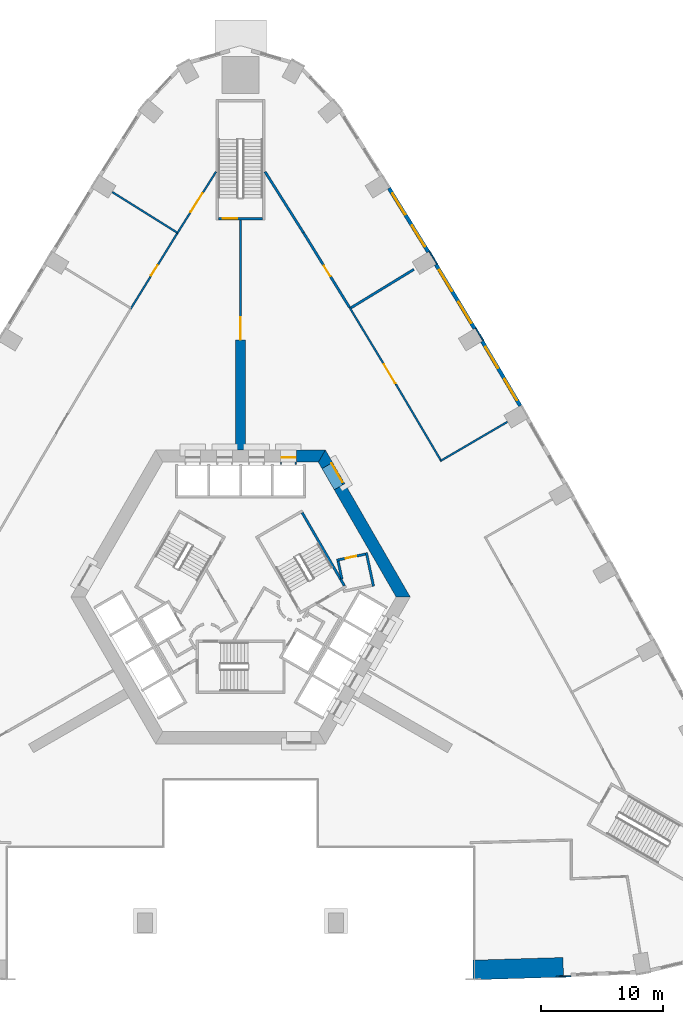
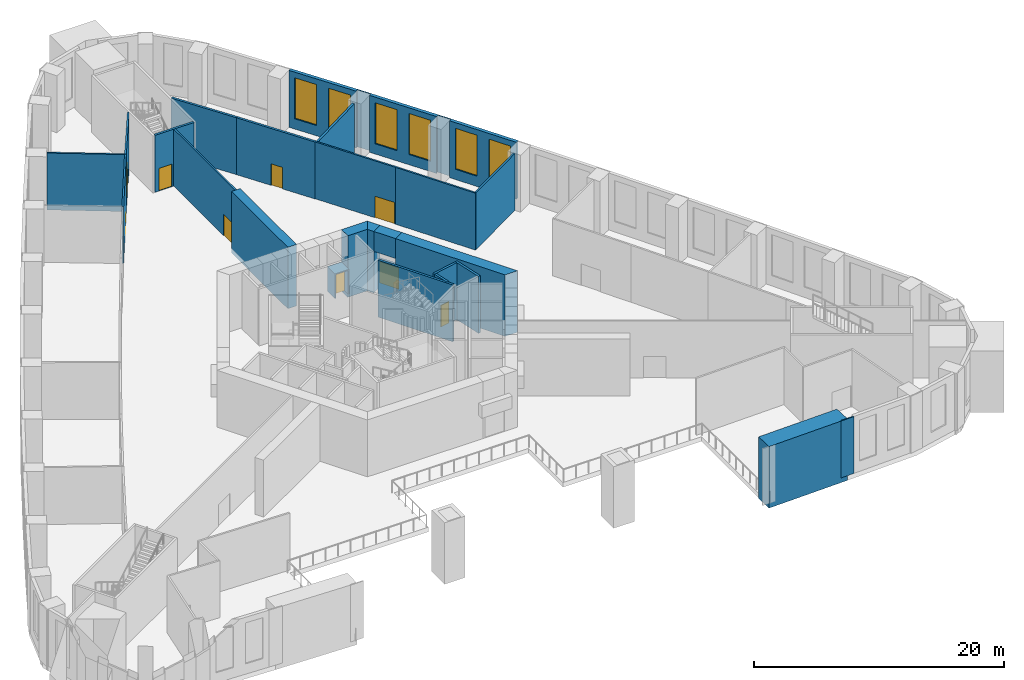
# One storey, part 6 of 15: 29 walls, 9 doors, 6 windows, 15 openings.
"""IFC4 building model written with IfcOpenShell, lengths in metres."""

from ifc_helpers import new_model, si_unit, direction, frame, frame_2d, origin, place, context, subcontext, project, spatial, polyline, rectangle, outline, extrude, material, layer, layer_set, type_object, element, fill, save


model = new_model("IFC4")

# Units and contexts
model_context = context("Model", 3, precision=1e-05, world=origin(), true_north=direction((0.0, 1.0)))
body_context = subcontext(model_context, "Body", "Model", "MODEL_VIEW")
ifc_project = project(units=[si_unit("LENGTHUNIT", "METRE"), si_unit("AREAUNIT", "SQUARE_METRE"), si_unit("VOLUMEUNIT", "CUBIC_METRE"), si_unit("PLANEANGLEUNIT", "RADIAN"), si_unit("MASSUNIT", "GRAM", prefix="KILO")], contexts=[model_context])

# Site, building, storey
site_placement = place(None, origin())
site = spatial("IfcSite", under=ifc_project, at=site_placement, CompositionType="ELEMENT")
building_placement = place(site_placement, origin())
building = spatial("IfcBuilding", under=site, at=building_placement, Name="Entoto Arch Interchange Tower", CompositionType="ELEMENT")
storey_placement = place(building_placement, frame((0.0, 0.0, 9.0)))
storey = spatial("IfcBuildingStorey", under=building, at=storey_placement, Name="L01", CompositionType="ELEMENT", Elevation=9.0)

# Walls
ifc_material_1 = material(Name="Concrete C60/75", Category="concrete")
ifc_layer_1 = layer(ifc_material_1, 1.60009765625)
ifc_layer_set_1 = layer_set([ifc_layer_1], Name="Concrete C60/75")
wall_type_1 = type_object("IfcWallType", Name="Arch leg wall 1600 C60/75", PredefinedType="SHEAR", material=ifc_layer_set_1)
wall_1_placement = place(storey_placement, frame((0.0, 0.0, -0.449951171875)))
element("IfcWall", 1, at=wall_1_placement, inside=storey, type_object=wall_type_1, Name="Arch leg E L01", PredefinedType="SHEAR", context=body_context, shape_type="SweptSolid", body=[
    extrude(outline(polyline([(19.0, -28.761962890625), (26.376953125, -28.5400390625), (26.321044921875, -26.94091796875), (18.97607421875, -27.162109375), (19.0, -28.761962890625)])), origin(), (0.0, 0.0, 1.0), 6.0),
])
ifc_layer_2 = layer(ifc_material_1, 0.800048828125)
ifc_layer_set_2 = layer_set([ifc_layer_2], Name="Concrete C60/75")
wall_type_2 = type_object("IfcWallType", Name="Buttress wall 800 C60/75", PredefinedType="SHEAR", material=ifc_layer_set_2)
wall_2_placement = place(storey_placement, frame((0.0, 14.5, -0.449951171875), z_axis=(0.0, 0.0, 1.0), x_axis=(0.0, 1.0, 0.0)))
element("IfcWall", 2, at=wall_2_placement, inside=storey, type_object=wall_type_2, Name="Buttress wall N L01", PredefinedType="SHEAR", context=body_context, shape_type="SweptSolid", body=[
    extrude(rectangle(XDim=9.0, YDim=0.800048828125, at=frame_2d((4.5, 0.0))), origin(), (0.0, 0.0, 1.0), 6.0),
])

# Wall, opening, door
ifc_material_2 = material(Name="Reinforced concrete C40/50", Category="concrete")
ifc_layer_3 = layer(ifc_material_2, 0.199951171875)
ifc_layer_set_3 = layer_set([ifc_layer_3], Name="Reinforced concrete C40/50")
wall_type_3 = type_object("IfcWallType", Name="CORE GAP INFILL WALL", PredefinedType="PARTITIONING", material=ifc_layer_set_3)
wall_3_placement = place(storey_placement, frame((8.429931640625, 11.697998046875, 0.0), z_axis=(0.0, 0.0, 1.0), x_axis=(-0.50002537861, 0.866010750942, 0.0)))
wall_3 = element("IfcWall", 3, at=wall_3_placement, inside=storey, type_object=wall_type_3, Name="wall:L01:gap2", PredefinedType="PARTITIONING", context=body_context, shape_type="SweptSolid", body=[
    extrude(rectangle(XDim=2.0, YDim=0.199951171875, at=frame_2d((1.0, 0.0))), origin(), (0.0, 0.0, 1.0), 2.39990234375),
])
opening_1_placement = place(wall_3_placement, frame((0.18994140625, 0.0, 0.0)))
opening_1 = element("IfcOpeningElement", 4, at=opening_1_placement, cuts=wall_3, Name="Opening L01-D92", PredefinedType="OPENING", context=body_context, shape_type="SweptSolid", body=[
    extrude(rectangle(XDim=1.800048828125, YDim=2.10009765625, at=frame_2d((0.89990234375, 1.050048828125))), frame((0.0, 0.10986328125, 0.0), z_axis=(0.0, -1.0, 0.0), x_axis=(1.0, 0.0, 0.0)), (0.0, 0.0, 1.0), 0.219970703125),
])
ifc_material_3 = material(Name="Fire-rated Steel S235 door and frame", Category="steel")
door_type_1 = type_object("IfcDoorType", Name="DOOR FD-18 1800x2100", OperationType="DOUBLE_DOOR_SINGLE_SWING", PredefinedType="DOOR", material=ifc_material_3)
door_1_placement = place(opening_1_placement, origin())
door_1 = element("IfcDoor", 5, at=door_1_placement, inside=storey, type_object=door_type_1, Name="door:L01:gap2", OperationType="DOUBLE_DOOR_SINGLE_SWING", OverallHeight=2.10009765625, OverallWidth=1.800048828125, PredefinedType="DOOR", context=body_context, shape_type="SweptSolid", body=[
    extrude(rectangle(XDim=1.800048828125, YDim=2.10009765625, at=frame_2d((0.89990234375, 1.050048828125))), frame((0.0, 0.02490234375, 0.0), z_axis=(0.0, -1.0, 0.0), x_axis=(1.0, 0.0, 0.0)), (0.0, 0.0, 1.0), 0.050048828125),
])
fill(opening_1, door_1)

# Walls
ifc_layer_4 = layer(ifc_material_1, 1.0)
ifc_layer_set_4 = layer_set([ifc_layer_4], Name="Concrete C60/75")
wall_type_4 = type_object("IfcWallType", Name="Core wall 1000 C60/75", PredefinedType="SHEAR", material=ifc_layer_set_4)
wall_4_placement = place(storey_placement, frame((0.0, 0.0, -0.449951171875)))
element("IfcWall", 6, at=wall_4_placement, inside=storey, type_object=wall_type_4, Name="Core wall NE L01", PredefinedType="SHEAR", context=body_context, shape_type="SweptSolid", body=[
    extrude(outline(polyline([(8.51708984375, 11.748046875), (7.65087890625, 11.248046875), (12.701904296875, 2.5), (13.85595703125, 2.5), (8.51708984375, 11.748046875)])), origin(), (0.0, 0.0, 1.0), 6.0),
])
wall_5_placement = place(storey_placement, frame((0.0, 0.0, -0.449951171875)))
element("IfcWall", 7, at=wall_5_placement, inside=storey, type_object=wall_type_4, Name="Core wall NE L01", PredefinedType="SHEAR", context=body_context, shape_type="SweptSolid", body=[
    extrude(outline(polyline([(6.65087890625, 12.97998046875), (7.51708984375, 13.47998046875), (6.927978515625, 14.5), (6.35107421875, 13.5), (6.65087890625, 12.97998046875)])), origin(), (0.0, 0.0, 1.0), 6.0),
])
wall_6_placement = place(storey_placement, frame((0.0, 0.0, 3.60009765625)))
element("IfcWall", 8, at=wall_6_placement, inside=storey, type_object=wall_type_4, Name="Core wall lintel NE L01", PredefinedType="SHEAR", context=body_context, shape_type="SweptSolid", body=[
    extrude(outline(polyline([(7.51708984375, 13.47998046875), (6.65087890625, 12.97998046875), (7.65087890625, 11.248046875), (8.51708984375, 11.748046875), (7.51708984375, 13.47998046875)])), origin(), (0.0, 0.0, 1.0), 1.949951171875),
])
wall_7_placement = place(storey_placement, frame((0.0, 0.0, -0.449951171875)))
element("IfcWall", 9, at=wall_7_placement, inside=storey, type_object=wall_type_4, Name="Core wall N L01", PredefinedType="SHEAR", context=body_context, shape_type="SweptSolid", body=[
    extrude(outline(polyline([(4.550048828125, 14.5), (4.550048828125, 13.5), (6.35107421875, 13.5), (6.927978515625, 14.5), (4.550048828125, 14.5)])), origin(), (0.0, 0.0, 1.0), 6.0),
])

# Wall, opening, door
ifc_material_4 = material(Name="Concrete C40/50", Category="concrete")
ifc_layer_5 = layer(ifc_material_4, 1.199951171875)
ifc_layer_set_5 = layer_set([ifc_layer_5], Name="Concrete C40/50")
wall_type_5 = type_object("IfcWallType", Name="LIFT LANDING INFILL WALL", PredefinedType="STANDARD", material=ifc_layer_set_5)
wall_8_placement = place(storey_placement, frame((4.550048828125, 13.89990234375, 0.0), z_axis=(0.0, 0.0, 1.0), x_axis=(-1.0, 0.0, 0.0)))
wall_8 = element("IfcWall", 10, at=wall_8_placement, inside=storey, type_object=wall_type_5, Name="Lift landing infill wall LR1 L01", PredefinedType="STANDARD", context=body_context, shape_type="SweptSolid", body=[
    extrude(rectangle(XDim=1.300048828125, YDim=1.199951171875, at=frame_2d((0.64990234375, 0.0))), origin(), (0.0, 0.0, 1.0), 2.39990234375),
])
opening_2_placement = place(wall_8_placement, frame((0.10009765625, 0.0, 0.0)))
opening_2 = element("IfcOpeningElement", 11, at=opening_2_placement, cuts=wall_8, Name="Opening LD-LR1-L01", PredefinedType="OPENING", context=body_context, shape_type="SweptSolid", body=[
    extrude(rectangle(XDim=1.10009765625, YDim=2.300048828125, at=frame_2d((0.550048828125, 1.14990234375))), frame((0.0, 0.60986328125, 0.0), z_axis=(0.0, -1.0, 0.0), x_axis=(1.0, 0.0, 0.0)), (0.0, 0.0, 1.0), 1.219970703125),
])
ifc_material_5 = material(Name="Stainless steel 1.4301 panels", Category="steel")
door_type_2 = type_object("IfcDoorType", Name="LIFT LANDING DOOR LD2 1100x2300", OperationType="SLIDING_TO_LEFT", PredefinedType="DOOR", material=ifc_material_5)
door_2_placement = place(opening_2_placement, origin())
door_2 = element("IfcDoor", 12, at=door_2_placement, inside=storey, type_object=door_type_2, Name="Lift landing door LR1 L01", OperationType="SLIDING_TO_LEFT", OverallHeight=2.300048828125, OverallWidth=1.10009765625, PredefinedType="DOOR", context=body_context, shape_type="SweptSolid", body=[
    extrude(rectangle(XDim=1.10009765625, YDim=2.300048828125, at=frame_2d((0.550048828125, 1.14990234375))), frame((0.0, 0.02490234375, 0.0), z_axis=(0.0, -1.0, 0.0), x_axis=(1.0, 0.0, 0.0)), (0.0, 0.0, 1.0), 0.050048828125),
])
fill(opening_2, door_2)

# Wall
ifc_material_6 = material(Name="Gypsum board partition on steel studs", Category="steel")
ifc_layer_6 = layer(ifc_material_6, 0.14990234375)
ifc_layer_set_6 = layer_set([ifc_layer_6], Name="Gypsum board partition on steel studs")
wall_type_6 = type_object("IfcWallType", Name="PARTITION 150", PredefinedType="PARTITIONING", material=ifc_layer_set_6)
wall_9_placement = place(storey_placement, frame((16.406005859375, 13.56591796875, 0.0), z_axis=(0.0, 0.0, 1.0), x_axis=(-0.508297783334, 0.861181376632, 0.0)))
element("IfcWall", 13, at=wall_9_placement, inside=storey, type_object=wall_type_6, Name="wall:L01:p048", PredefinedType="PARTITIONING", context=body_context, shape_type="SweptSolid", body=[
    extrude(rectangle(XDim=7.3203125, YDim=0.14990234375, at=frame_2d((3.66015625, 0.0))), origin(), (0.0, 0.0, 1.0), 5.550048828125),
])

# Wall, opening, door
wall_10_placement = place(storey_placement, frame((12.68505859375, 19.8701171875, 0.0), z_axis=(0.0, 0.0, 1.0), x_axis=(-0.516657396372, 0.856192230036, 0.0)))
wall_10 = element("IfcWall", 14, at=wall_10_placement, inside=storey, type_object=wall_type_6, Name="wall:L01:p049", PredefinedType="PARTITIONING", context=body_context, shape_type="SweptSolid", body=[
    extrude(rectangle(XDim=7.335693359375, YDim=0.14990234375, at=frame_2d((3.66796875, 0.0))), origin(), (0.0, 0.0, 1.0), 5.550048828125),
])
opening_3_placement = place(wall_10_placement, frame((0.10009765625, 0.0, 0.0)))
opening_3 = element("IfcOpeningElement", 15, at=opening_3_placement, cuts=wall_10, Name="Opening L01-D08", PredefinedType="OPENING", context=body_context, shape_type="SweptSolid", body=[
    extrude(rectangle(XDim=1.800048828125, YDim=2.10009765625, at=frame_2d((0.89990234375, 1.050048828125))), frame((0.0, 0.0849609375, 0.0), z_axis=(0.0, -1.0, 0.0), x_axis=(1.0, 0.0, 0.0)), (0.0, 0.0, 1.0), 0.169921875),
])
ifc_material_7 = material(Name="Timber door leaf in Steel S235 frame", Category="steel")
door_type_3 = type_object("IfcDoorType", Name="DOOR DD-18 1800x2100", OperationType="DOUBLE_DOOR_SINGLE_SWING", PredefinedType="DOOR", material=ifc_material_7)
door_3_placement = place(opening_3_placement, origin())
door_3 = element("IfcDoor", 16, at=door_3_placement, inside=storey, type_object=door_type_3, Name="door:L01:08", OperationType="DOUBLE_DOOR_SINGLE_SWING", OverallHeight=2.10009765625, OverallWidth=1.800048828125, PredefinedType="DOOR", context=body_context, shape_type="SweptSolid", body=[
    extrude(rectangle(XDim=1.800048828125, YDim=2.10009765625, at=frame_2d((0.89990234375, 1.050048828125))), frame((0.0, 0.02490234375, 0.0), z_axis=(0.0, -1.0, 0.0), x_axis=(1.0, 0.0, 0.0)), (0.0, 0.0, 1.0), 0.050048828125),
])
fill(opening_3, door_3)

# Walls
wall_11_placement = place(storey_placement, frame((21.7919921875, 16.798095703125, 0.0), z_axis=(0.0, 0.0, 1.0), x_axis=(-0.863450223864, -0.504434050109, 0.0)))
element("IfcWall", 17, at=wall_11_placement, inside=storey, type_object=wall_type_6, Name="wall:L01:p050", PredefinedType="PARTITIONING", context=body_context, shape_type="SweptSolid", body=[
    extrude(rectangle(XDim=6.28076171875, YDim=0.14990234375, at=frame_2d((3.140380859375, 0.0))), origin(), (0.0, 0.0, 1.0), 5.550048828125),
])
wall_12_placement = place(storey_placement, frame((-5.14599609375, 32.22900390625, 0.0), z_axis=(0.0, 0.0, 1.0), x_axis=(-0.847900028258, 0.530156148771, 0.0)))
element("IfcWall", 18, at=wall_12_placement, inside=storey, type_object=wall_type_6, Name="wall:L01:p053", PredefinedType="PARTITIONING", context=body_context, shape_type="SweptSolid", body=[
    extrude(rectangle(XDim=6.28125, YDim=0.14990234375, at=frame_2d((3.140625, 0.0))), origin(), (0.0, 0.0, 1.0), 5.550048828125),
])

# Wall, opening, door
wall_13_placement = place(storey_placement, frame((-2.0, 37.220947265625, 0.0), z_axis=(0.0, 0.0, 1.0), x_axis=(-0.533266105174, -0.8459475522, 0.0)))
wall_13 = element("IfcWall", 19, at=wall_13_placement, inside=storey, type_object=wall_type_6, Name="wall:L01:p054", PredefinedType="PARTITIONING", context=body_context, shape_type="SweptSolid", body=[
    extrude(rectangle(XDim=5.890380859375, YDim=0.14990234375, at=frame_2d((2.9453125, 0.0))), origin(), (0.0, 0.0, 1.0), 5.550048828125),
])
opening_4_placement = place(wall_13_placement, frame((2.080078125, 0.0, 0.0)))
opening_4 = element("IfcOpeningElement", 20, at=opening_4_placement, cuts=wall_13, Name="Opening L01-D10", PredefinedType="OPENING", context=body_context, shape_type="SweptSolid", body=[
    extrude(rectangle(XDim=1.800048828125, YDim=2.10009765625, at=frame_2d((0.89990234375, 1.050048828125))), frame((0.0, 0.0849609375, 0.0), z_axis=(0.0, -1.0, 0.0), x_axis=(1.0, 0.0, 0.0)), (0.0, 0.0, 1.0), 0.169921875),
])
door_4_placement = place(opening_4_placement, origin())
door_4 = element("IfcDoor", 21, at=door_4_placement, inside=storey, type_object=door_type_3, Name="door:L01:10", OperationType="DOUBLE_DOOR_SINGLE_SWING", OverallHeight=2.10009765625, OverallWidth=1.800048828125, PredefinedType="DOOR", context=body_context, shape_type="SweptSolid", body=[
    extrude(rectangle(XDim=1.800048828125, YDim=2.10009765625, at=frame_2d((0.89990234375, 1.050048828125))), frame((0.0, 0.02490234375, 0.0), z_axis=(0.0, -1.0, 0.0), x_axis=(1.0, 0.0, 0.0)), (0.0, 0.0, 1.0), 0.050048828125),
])
fill(opening_4, door_4)

wall_14_placement = place(storey_placement, frame((-5.14111328125, 32.238037109375, 0.0), z_axis=(0.0, 0.0, 1.0), x_axis=(-0.52478961199, -0.851231967884, 0.0)))
wall_14 = element("IfcWall", 22, at=wall_14_placement, inside=storey, type_object=wall_type_6, Name="wall:L01:p056", PredefinedType="PARTITIONING", context=body_context, shape_type="SweptSolid", body=[
    extrude(rectangle(XDim=7.31884765625, YDim=0.14990234375, at=frame_2d((3.659423828125, 0.0))), origin(), (0.0, 0.0, 1.0), 5.550048828125),
])
opening_5_placement = place(wall_14_placement, frame((3.110107421875, 0.0, 0.0)))
opening_5 = element("IfcOpeningElement", 23, at=opening_5_placement, cuts=wall_14, Name="Opening L01-D11", PredefinedType="OPENING", context=body_context, shape_type="SweptSolid", body=[
    extrude(rectangle(XDim=1.0, YDim=2.10009765625, at=frame_2d((0.5, 1.050048828125))), frame((0.0, 0.0849609375, 0.0), z_axis=(0.0, -1.0, 0.0), x_axis=(1.0, 0.0, 0.0)), (0.0, 0.0, 1.0), 0.169921875),
])
door_type_4 = type_object("IfcDoorType", Name="DOOR DS-10 1000x2100", OperationType="SINGLE_SWING_LEFT", PredefinedType="DOOR", material=ifc_material_7)
door_5_placement = place(opening_5_placement, origin())
door_5 = element("IfcDoor", 24, at=door_5_placement, inside=storey, type_object=door_type_4, Name="door:L01:11", OperationType="SINGLE_SWING_RIGHT", OverallHeight=2.10009765625, OverallWidth=1.0, PredefinedType="DOOR", context=body_context, shape_type="SweptSolid", body=[
    extrude(rectangle(XDim=1.0, YDim=2.10009765625, at=frame_2d((0.5, 1.050048828125))), frame((0.0, 0.02490234375, 0.0), z_axis=(0.0, -1.0, 0.0), x_axis=(1.0, 0.0, 0.0)), (0.0, 0.0, 1.0), 0.050048828125),
])
fill(opening_5, door_5)

wall_15_placement = place(storey_placement, frame((0.0, 33.300048828125, 0.0), z_axis=(0.0, 0.0, 1.0), x_axis=(0.0, -1.0, 0.0)))
wall_15 = element("IfcWall", 25, at=wall_15_placement, inside=storey, type_object=wall_type_6, Name="wall:L01:p068", PredefinedType="PARTITIONING", context=body_context, shape_type="SweptSolid", body=[
    extrude(rectangle(XDim=9.800048828125, YDim=0.14990234375, at=frame_2d((4.89990234375, 0.0))), origin(), (0.0, 0.0, 1.0), 5.550048828125),
])
opening_6_placement = place(wall_15_placement, frame((7.97998046875, 0.0, 0.0)))
opening_6 = element("IfcOpeningElement", 26, at=opening_6_placement, cuts=wall_15, Name="Opening L01-D02", PredefinedType="OPENING", context=body_context, shape_type="SweptSolid", body=[
    extrude(rectangle(XDim=1.800048828125, YDim=2.10009765625, at=frame_2d((0.89990234375, 1.050048828125))), frame((0.0, 0.0849609375, 0.0), z_axis=(0.0, -1.0, 0.0), x_axis=(1.0, 0.0, 0.0)), (0.0, 0.0, 1.0), 0.169921875),
])
door_6_placement = place(opening_6_placement, origin())
door_6 = element("IfcDoor", 27, at=door_6_placement, inside=storey, type_object=door_type_1, Name="door:L01:02", OperationType="DOUBLE_DOOR_SINGLE_SWING", OverallHeight=2.10009765625, OverallWidth=1.800048828125, PredefinedType="DOOR", context=body_context, shape_type="SweptSolid", body=[
    extrude(rectangle(XDim=1.800048828125, YDim=2.10009765625, at=frame_2d((0.89990234375, 1.050048828125))), frame((0.0, 0.02490234375, 0.0), z_axis=(0.0, -1.0, 0.0), x_axis=(1.0, 0.0, 0.0)), (0.0, 0.0, 1.0), 0.050048828125),
])
fill(opening_6, door_6)

# Wall
ifc_layer_7 = layer(ifc_material_6, 0.199951171875)
ifc_layer_set_7 = layer_set([ifc_layer_7], Name="Gypsum board partition on steel studs")
wall_type_7 = type_object("IfcWallType", Name="PARTITION 200", PredefinedType="PARTITIONING", material=ifc_layer_set_7)
wall_16_placement = place(storey_placement, frame((10.85498046875, 3.3759765625, 0.0), z_axis=(0.0, 0.0, 1.0), x_axis=(-0.207855627539, 0.978159515672, 0.0)))
element("IfcWall", 28, at=wall_16_placement, inside=storey, type_object=wall_type_7, Name="wall:L01:p013", PredefinedType="PARTITIONING", context=body_context, shape_type="SweptSolid", body=[
    extrude(rectangle(XDim=2.800048828125, YDim=0.199951171875, at=frame_2d((1.39990234375, 0.0))), origin(), (0.0, 0.0, 1.0), 5.550048828125),
])

# Wall, opening, door
wall_17_placement = place(storey_placement, frame((10.196044921875, 5.99609375, 0.0), z_axis=(0.0, 0.0, 1.0), x_axis=(-0.978155232185, -0.207875784424, 0.0)))
wall_17 = element("IfcWall", 29, at=wall_17_placement, inside=storey, type_object=wall_type_7, Name="wall:L01:p014", PredefinedType="PARTITIONING", context=body_context, shape_type="SweptSolid", body=[
    extrude(rectangle(XDim=2.400634765625, YDim=0.199951171875, at=frame_2d((1.2001953125, 0.0))), origin(), (0.0, 0.0, 1.0), 5.550048828125),
])
opening_7_placement = place(wall_17_placement, frame((0.75, 0.0, 0.0)))
opening_7 = element("IfcOpeningElement", 30, at=opening_7_placement, cuts=wall_17, Name="Opening L01-D19", PredefinedType="OPENING", context=body_context, shape_type="SweptSolid", body=[
    extrude(rectangle(XDim=0.89990234375, YDim=2.10009765625, at=frame_2d((0.449951171875, 1.050048828125))), frame((0.0, 0.10986328125, 0.0), z_axis=(0.0, -1.0, 0.0), x_axis=(1.0, 0.0, 0.0)), (0.0, 0.0, 1.0), 0.219970703125),
])
door_type_5 = type_object("IfcDoorType", Name="DOOR DS-09 900x2100", OperationType="SINGLE_SWING_LEFT", PredefinedType="DOOR", material=ifc_material_7)
door_7_placement = place(opening_7_placement, origin())
door_7 = element("IfcDoor", 31, at=door_7_placement, inside=storey, type_object=door_type_5, Name="door:L01:19", OperationType="SINGLE_SWING_LEFT", OverallHeight=2.10009765625, OverallWidth=0.89990234375, PredefinedType="DOOR", context=body_context, shape_type="SweptSolid", body=[
    extrude(rectangle(XDim=0.89990234375, YDim=2.10009765625, at=frame_2d((0.449951171875, 1.050048828125))), frame((0.0, 0.02490234375, 0.0), z_axis=(0.0, -1.0, 0.0), x_axis=(1.0, 0.0, 0.0)), (0.0, 0.0, 1.0), 0.050048828125),
])
fill(opening_7, door_7)

# Walls
wall_18_placement = place(storey_placement, frame((7.967041015625, 5.419921875, 0.0), z_axis=(0.0, 0.0, 1.0), x_axis=(0.207656532783, -0.978201801467, 0.0)))
element("IfcWall", 32, at=wall_18_placement, inside=storey, type_object=wall_type_7, Name="wall:L01:p015", PredefinedType="PARTITIONING", context=body_context, shape_type="SweptSolid", body=[
    extrude(rectangle(XDim=1.4873046875, YDim=0.199951171875, at=frame_2d((0.74365234375, 0.0))), origin(), (0.0, 0.0, 1.0), 5.550048828125),
])
wall_19_placement = place(storey_placement, frame((8.947021484375, 26.06494140625, 0.0), z_axis=(0.0, 0.0, 1.0), x_axis=(0.853190812677, 0.52159892366, 0.0)))
element("IfcWall", 33, at=wall_19_placement, inside=storey, type_object=wall_type_7, Name="wall:L01:p047", PredefinedType="PARTITIONING", context=body_context, shape_type="SweptSolid", body=[
    extrude(rectangle(XDim=6.100830078125, YDim=0.199951171875, at=frame_2d((3.05029296875, 0.0))), origin(), (0.0, 0.0, 1.0), 5.550048828125),
])
wall_20_placement = place(storey_placement, frame((5.14111328125, 32.238037109375, 0.0), z_axis=(0.0, 0.0, 1.0), x_axis=(-0.533266105174, 0.8459475522, 0.0)))
element("IfcWall", 34, at=wall_20_placement, inside=storey, type_object=wall_type_7, Name="wall:L01:p051", PredefinedType="PARTITIONING", context=body_context, shape_type="SweptSolid", body=[
    extrude(rectangle(XDim=5.890380859375, YDim=0.199951171875, at=frame_2d((2.9453125, 0.0))), origin(), (0.0, 0.0, 1.0), 5.550048828125),
])

# Wall, opening, door
wall_21_placement = place(storey_placement, frame((8.89404296875, 26.15087890625, 0.0), z_axis=(0.0, 0.0, 1.0), x_axis=(-0.524805840192, 0.851221962887, 0.0)))
wall_21 = element("IfcWall", 35, at=wall_21_placement, inside=storey, type_object=wall_type_7, Name="wall:L01:p052", PredefinedType="PARTITIONING", context=body_context, shape_type="SweptSolid", body=[
    extrude(rectangle(XDim=7.151123046875, YDim=0.199951171875, at=frame_2d((3.57568359375, 0.0))), origin(), (0.0, 0.0, 1.0), 5.550048828125),
])
opening_8_placement = place(wall_21_placement, frame((2.97998046875, 0.0, 0.0)))
opening_8 = element("IfcOpeningElement", 36, at=opening_8_placement, cuts=wall_21, Name="Opening L01-D09", PredefinedType="OPENING", context=body_context, shape_type="SweptSolid", body=[
    extrude(rectangle(XDim=1.0, YDim=2.10009765625, at=frame_2d((0.5, 1.050048828125))), frame((0.0, 0.10986328125, 0.0), z_axis=(0.0, -1.0, 0.0), x_axis=(1.0, 0.0, 0.0)), (0.0, 0.0, 1.0), 0.219970703125),
])
door_8_placement = place(opening_8_placement, origin())
door_8 = element("IfcDoor", 37, at=door_8_placement, inside=storey, type_object=door_type_4, Name="door:L01:09", OperationType="SINGLE_SWING_RIGHT", OverallHeight=2.10009765625, OverallWidth=1.0, PredefinedType="DOOR", context=body_context, shape_type="SweptSolid", body=[
    extrude(rectangle(XDim=1.0, YDim=2.10009765625, at=frame_2d((0.5, 1.050048828125))), frame((0.0, 0.02490234375, 0.0), z_axis=(0.0, -1.0, 0.0), x_axis=(1.0, 0.0, 0.0)), (0.0, 0.0, 1.0), 0.050048828125),
])
fill(opening_8, door_8)

# Wall
ifc_layer_8 = layer(ifc_material_4, 0.199951171875)
ifc_layer_set_8 = layer_set([ifc_layer_8], Name="Concrete C40/50")
wall_type_8 = type_object("IfcWallType", Name="STAIR ENCLOSURE WALL 200", PredefinedType="STANDARD", material=ifc_layer_set_8)
wall_22_placement = place(storey_placement, frame((8.47998046875, 3.412109375, 0.0), z_axis=(0.0, 0.0, 1.0), x_axis=(-0.499978703459, 0.866037698999, 0.0)))
element("IfcWall", 38, at=wall_22_placement, inside=storey, type_object=wall_type_8, Name="Stair wall ST-NE back", PredefinedType="STANDARD", context=body_context, shape_type="SweptSolid", body=[
    extrude(rectangle(XDim=6.900146484375, YDim=0.199951171875, at=frame_2d((3.4501953125, 0.0))), origin(), (0.0, 0.0, 1.0), 5.550048828125),
])

# Wall, opening, door
wall_23_placement = place(storey_placement, frame((1.800048828125, 33.39990234375, 0.0), z_axis=(0.0, 0.0, 1.0), x_axis=(-1.0, 0.0, 0.0)))
wall_23 = element("IfcWall", 39, at=wall_23_placement, inside=storey, type_object=wall_type_8, Name="Stair wall PST-N near", PredefinedType="STANDARD", context=body_context, shape_type="SweptSolid", body=[
    extrude(rectangle(XDim=3.60009765625, YDim=0.199951171875, at=frame_2d((1.800048828125, 0.0))), origin(), (0.0, 0.0, 1.0), 5.550048828125),
])
opening_9_placement = place(wall_23_placement, frame((2.050048828125, 0.0, 0.0)))
opening_9 = element("IfcOpeningElement", 40, at=opening_9_placement, cuts=wall_23, Name="Opening SD-PST-N-L01", PredefinedType="OPENING", context=body_context, shape_type="SweptSolid", body=[
    extrude(rectangle(XDim=1.199951171875, YDim=2.199951171875, at=frame_2d((0.60009765625, 1.10009765625))), frame((0.0, 0.10986328125, 0.0), z_axis=(0.0, -1.0, 0.0), x_axis=(1.0, 0.0, 0.0)), (0.0, 0.0, 1.0), 0.219970703125),
])
ifc_material_8 = material(Name="Steel S235", Category="steel")
door_type_6 = type_object("IfcDoorType", Name="STAIR DOOR SD2 1200x2200", OperationType="SINGLE_SWING_LEFT", PredefinedType="DOOR", material=ifc_material_8)
door_9_placement = place(opening_9_placement, origin())
door_9 = element("IfcDoor", 41, at=door_9_placement, inside=storey, type_object=door_type_6, Name="Stair door PST-N L01", OperationType="SINGLE_SWING_LEFT", OverallHeight=2.199951171875, OverallWidth=1.199951171875, PredefinedType="DOOR", context=body_context, shape_type="SweptSolid", body=[
    extrude(rectangle(XDim=1.199951171875, YDim=2.199951171875, at=frame_2d((0.60009765625, 1.10009765625))), frame((0.0, 0.02490234375, 0.0), z_axis=(0.0, -1.0, 0.0), x_axis=(1.0, 0.0, 0.0)), (0.0, 0.0, 1.0), 0.050048828125),
])
fill(opening_9, door_9)

# Wall, openings, windows
ifc_material_9 = material(Name="Welded tuff (ignimbrite) cladding, warm buff", Category="masonry")
ifc_layer_9 = layer(ifc_material_9, 0.300048828125)
ifc_layer_set_9 = layer_set([ifc_layer_9], Name="Welded tuff (ignimbrite) cladding, warm buff")
wall_type_9 = type_object("IfcWallType", Name="STONE INFILL WALL 300", PredefinedType="STANDARD", material=ifc_layer_set_9)
wall_24_placement = place(storey_placement, frame((22.843017578125, 18.10498046875, 0.0), z_axis=(0.0, 0.0, 1.0), x_axis=(-0.50834231483, 0.861155091115, 0.0)))
wall_24 = element("IfcWall", 42, at=wall_24_placement, inside=storey, type_object=wall_type_9, Name="Facade wall NE-06 L01", PredefinedType="STANDARD", context=body_context, shape_type="SweptSolid", body=[
    extrude(rectangle(XDim=6.1220703125, YDim=0.300048828125, at=frame_2d((3.06103515625, 0.0))), origin(), (0.0, 0.0, 1.0), 5.550048828125),
])
opening_10_placement = place(wall_24_placement, frame((0.530029296875, 0.0, 1.0)))
opening_10 = element("IfcOpeningElement", 43, at=opening_10_placement, cuts=wall_24, Name="Opening WP-F", PredefinedType="OPENING", context=body_context, shape_type="SweptSolid", body=[
    extrude(rectangle(XDim=2.0, YDim=4.0, at=frame_2d((1.0, 2.0))), frame((0.0, 0.16015625, 0.0), z_axis=(0.0, -1.0, 0.0), x_axis=(1.0, 0.0, 0.0)), (0.0, 0.0, 1.0), 0.320068359375),
])
opening_11_placement = place(wall_24_placement, frame((3.591064453125, 0.0, 1.0)))
opening_11 = element("IfcOpeningElement", 44, at=opening_11_placement, cuts=wall_24, Name="Opening WP-F", PredefinedType="OPENING", context=body_context, shape_type="SweptSolid", body=[
    extrude(rectangle(XDim=2.0, YDim=4.0, at=frame_2d((1.0, 2.0))), frame((0.0, 0.16015625, 0.0), z_axis=(0.0, -1.0, 0.0), x_axis=(1.0, 0.0, 0.0)), (0.0, 0.0, 1.0), 0.320068359375),
])
ifc_material_10 = material(Name="Clear glass, low-e double glazed", Category="glass")
window_type = type_object("IfcWindowType", Name="WINDOW WP-F 2000x4000", PartitioningType="DOUBLE_PANEL_VERTICAL", PredefinedType="WINDOW", material=ifc_material_10)
window_1_placement = place(opening_10_placement, origin())
window_1 = element("IfcWindow", 45, at=window_1_placement, inside=storey, type_object=window_type, Name="Window WP-F NE-06 L01", OverallHeight=4.0, OverallWidth=2.0, PartitioningType="SINGLE_PANEL", PredefinedType="WINDOW", context=body_context, shape_type="SweptSolid", body=[
    extrude(rectangle(XDim=2.0, YDim=4.0, at=frame_2d((1.0, 2.0))), frame((0.0, 0.030029296875, 0.0), z_axis=(0.0, -1.0, 0.0), x_axis=(1.0, 0.0, 0.0)), (0.0, 0.0, 1.0), 0.06005859375),
])
fill(opening_10, window_1)
window_2_placement = place(opening_11_placement, origin())
window_2 = element("IfcWindow", 46, at=window_2_placement, inside=storey, type_object=window_type, Name="Window WP-F NE-06 L01", OverallHeight=4.0, OverallWidth=2.0, PartitioningType="SINGLE_PANEL", PredefinedType="WINDOW", context=body_context, shape_type="SweptSolid", body=[
    extrude(rectangle(XDim=2.0, YDim=4.0, at=frame_2d((1.0, 2.0))), frame((0.0, 0.030029296875, 0.0), z_axis=(0.0, -1.0, 0.0), x_axis=(1.0, 0.0, 0.0)), (0.0, 0.0, 1.0), 0.06005859375),
])
fill(opening_11, window_2)

wall_25_placement = place(storey_placement, frame((19.116943359375, 24.406005859375, 0.0), z_axis=(0.0, 0.0, 1.0), x_axis=(-0.516687651362, 0.85617397235, 0.0)))
wall_25 = element("IfcWall", 47, at=wall_25_placement, inside=storey, type_object=wall_type_9, Name="Facade wall NE-07 L01", PredefinedType="STANDARD", context=body_context, shape_type="SweptSolid", body=[
    extrude(rectangle(XDim=6.121337890625, YDim=0.300048828125, at=frame_2d((3.060546875, 0.0))), origin(), (0.0, 0.0, 1.0), 5.550048828125),
])
opening_12_placement = place(wall_25_placement, frame((0.530029296875, 0.0, 1.0)))
opening_12 = element("IfcOpeningElement", 48, at=opening_12_placement, cuts=wall_25, Name="Opening WP-F", PredefinedType="OPENING", context=body_context, shape_type="SweptSolid", body=[
    extrude(rectangle(XDim=2.0, YDim=4.0, at=frame_2d((1.0, 2.0))), frame((0.0, 0.16015625, 0.0), z_axis=(0.0, -1.0, 0.0), x_axis=(1.0, 0.0, 0.0)), (0.0, 0.0, 1.0), 0.320068359375),
])
opening_13_placement = place(wall_25_placement, frame((3.591064453125, 0.0, 1.0)))
opening_13 = element("IfcOpeningElement", 49, at=opening_13_placement, cuts=wall_25, Name="Opening WP-F", PredefinedType="OPENING", context=body_context, shape_type="SweptSolid", body=[
    extrude(rectangle(XDim=2.0, YDim=4.0, at=frame_2d((1.0, 2.0))), frame((0.0, 0.16015625, 0.0), z_axis=(0.0, -1.0, 0.0), x_axis=(1.0, 0.0, 0.0)), (0.0, 0.0, 1.0), 0.320068359375),
])
window_3_placement = place(opening_12_placement, origin())
window_3 = element("IfcWindow", 50, at=window_3_placement, inside=storey, type_object=window_type, Name="Window WP-F NE-07 L01", OverallHeight=4.0, OverallWidth=2.0, PartitioningType="SINGLE_PANEL", PredefinedType="WINDOW", context=body_context, shape_type="SweptSolid", body=[
    extrude(rectangle(XDim=2.0, YDim=4.0, at=frame_2d((1.0, 2.0))), frame((0.0, 0.030029296875, 0.0), z_axis=(0.0, -1.0, 0.0), x_axis=(1.0, 0.0, 0.0)), (0.0, 0.0, 1.0), 0.06005859375),
])
fill(opening_12, window_3)
window_4_placement = place(opening_13_placement, origin())
window_4 = element("IfcWindow", 51, at=window_4_placement, inside=storey, type_object=window_type, Name="Window WP-F NE-07 L01", OverallHeight=4.0, OverallWidth=2.0, PartitioningType="SINGLE_PANEL", PredefinedType="WINDOW", context=body_context, shape_type="SweptSolid", body=[
    extrude(rectangle(XDim=2.0, YDim=4.0, at=frame_2d((1.0, 2.0))), frame((0.0, 0.030029296875, 0.0), z_axis=(0.0, -1.0, 0.0), x_axis=(1.0, 0.0, 0.0)), (0.0, 0.0, 1.0), 0.06005859375),
])
fill(opening_13, window_4)

wall_26_placement = place(storey_placement, frame((15.3310546875, 30.669921875, 0.0), z_axis=(0.0, 0.0, 1.0), x_axis=(-0.524953701886, 0.85113078365, 0.0)))
wall_26 = element("IfcWall", 52, at=wall_26_placement, inside=storey, type_object=wall_type_9, Name="Facade wall NE-08 L01", PredefinedType="STANDARD", context=body_context, shape_type="SweptSolid", body=[
    extrude(rectangle(XDim=6.12255859375, YDim=0.300048828125, at=frame_2d((3.061279296875, 0.0))), origin(), (0.0, 0.0, 1.0), 5.550048828125),
])
opening_14_placement = place(wall_26_placement, frame((0.531005859375, 0.0, 1.0)))
opening_14 = element("IfcOpeningElement", 53, at=opening_14_placement, cuts=wall_26, Name="Opening WP-F", PredefinedType="OPENING", context=body_context, shape_type="SweptSolid", body=[
    extrude(rectangle(XDim=2.0, YDim=4.0, at=frame_2d((1.0, 2.0))), frame((0.0, 0.16015625, 0.0), z_axis=(0.0, -1.0, 0.0), x_axis=(1.0, 0.0, 0.0)), (0.0, 0.0, 1.0), 0.320068359375),
])
opening_15_placement = place(wall_26_placement, frame((3.592041015625, 0.0, 1.0)))
opening_15 = element("IfcOpeningElement", 54, at=opening_15_placement, cuts=wall_26, Name="Opening WP-F", PredefinedType="OPENING", context=body_context, shape_type="SweptSolid", body=[
    extrude(rectangle(XDim=2.0, YDim=4.0, at=frame_2d((1.0, 2.0))), frame((0.0, 0.16015625, 0.0), z_axis=(0.0, -1.0, 0.0), x_axis=(1.0, 0.0, 0.0)), (0.0, 0.0, 1.0), 0.320068359375),
])
window_5_placement = place(opening_14_placement, origin())
window_5 = element("IfcWindow", 55, at=window_5_placement, inside=storey, type_object=window_type, Name="Window WP-F NE-08 L01", OverallHeight=4.0, OverallWidth=2.0, PartitioningType="SINGLE_PANEL", PredefinedType="WINDOW", context=body_context, shape_type="SweptSolid", body=[
    extrude(rectangle(XDim=2.0, YDim=4.0, at=frame_2d((1.0, 2.0))), frame((0.0, 0.030029296875, 0.0), z_axis=(0.0, -1.0, 0.0), x_axis=(1.0, 0.0, 0.0)), (0.0, 0.0, 1.0), 0.06005859375),
])
fill(opening_14, window_5)
window_6_placement = place(opening_15_placement, origin())
window_6 = element("IfcWindow", 56, at=window_6_placement, inside=storey, type_object=window_type, Name="Window WP-F NE-08 L01", OverallHeight=4.0, OverallWidth=2.0, PartitioningType="SINGLE_PANEL", PredefinedType="WINDOW", context=body_context, shape_type="SweptSolid", body=[
    extrude(rectangle(XDim=2.0, YDim=4.0, at=frame_2d((1.0, 2.0))), frame((0.0, 0.030029296875, 0.0), z_axis=(0.0, -1.0, 0.0), x_axis=(1.0, 0.0, 0.0)), (0.0, 0.0, 1.0), 0.06005859375),
])
fill(opening_15, window_6)

# Walls
ifc_layer_10 = layer(ifc_material_9, 0.10009765625)
ifc_layer_set_10 = layer_set([ifc_layer_10], Name="Welded tuff (ignimbrite) cladding, warm buff")
wall_type_10 = type_object("IfcWallType", Name="STONE PIER CLADDING 100", PredefinedType="STANDARD", material=ifc_layer_set_10)
wall_27_placement = place(storey_placement, frame((19.820068359375, 23.428955078125, 0.0), z_axis=(0.0, 0.0, 1.0), x_axis=(-0.513238760752, 0.858245870635, 0.0)))
element("IfcWall", 57, at=wall_27_placement, inside=storey, type_object=wall_type_10, Name="Stone pier NE07 L01", PredefinedType="STANDARD", context=body_context, shape_type="SweptSolid", body=[
    extrude(rectangle(XDim=1.2001953125, YDim=0.10009765625, at=frame_2d((0.60009765625, 0.0))), origin(), (0.0, 0.0, 1.0), 5.550048828125),
])
wall_28_placement = place(storey_placement, frame((16.04296875, 29.699951171875, 0.0), z_axis=(0.0, 0.0, 1.0), x_axis=(-0.521507599072, 0.853246637327, 0.0)))
element("IfcWall", 58, at=wall_28_placement, inside=storey, type_object=wall_type_10, Name="Stone pier NE08 L01", PredefinedType="STANDARD", context=body_context, shape_type="SweptSolid", body=[
    extrude(rectangle(XDim=1.200439453125, YDim=0.10009765625, at=frame_2d((0.60009765625, 0.0))), origin(), (0.0, 0.0, 1.0), 5.550048828125),
])
wall_29_placement = place(storey_placement, frame((25.77587890625, -28.510986328125, 0.0), z_axis=(0.0, 0.0, 1.0), x_axis=(0.999387493042, 0.034994838926, 0.0)))
element("IfcWall", 59, at=wall_29_placement, inside=storey, type_object=wall_type_10, Name="Stone pier S05 L01", PredefinedType="STANDARD", context=body_context, shape_type="SweptSolid", body=[
    extrude(rectangle(XDim=1.199951171875, YDim=0.10009765625, at=frame_2d((0.60009765625, 0.0))), origin(), (0.0, 0.0, 1.0), 5.550048828125),
])

save(model, "model.ifc")
